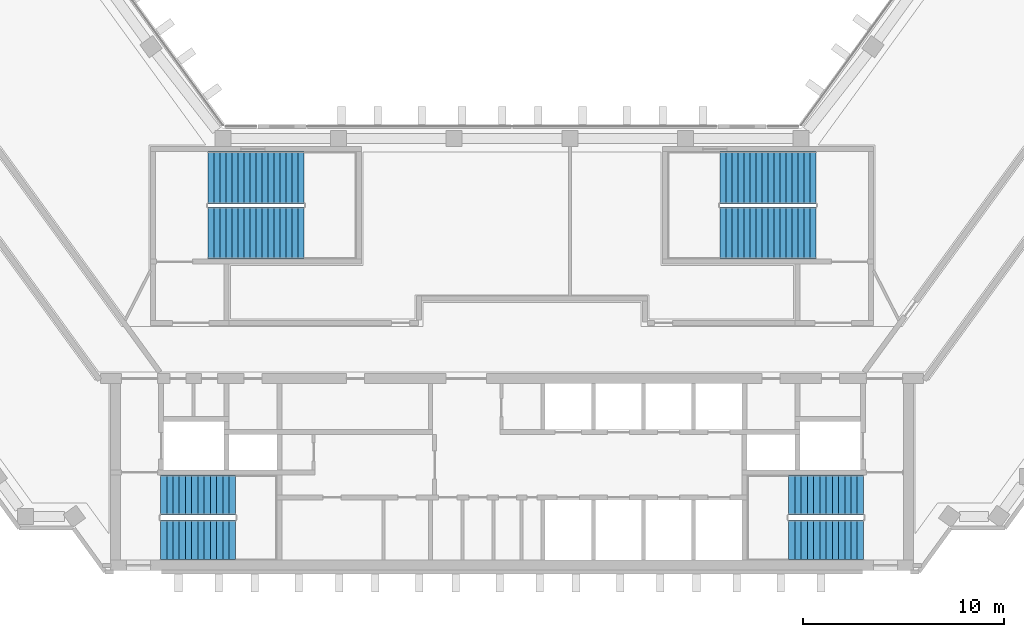
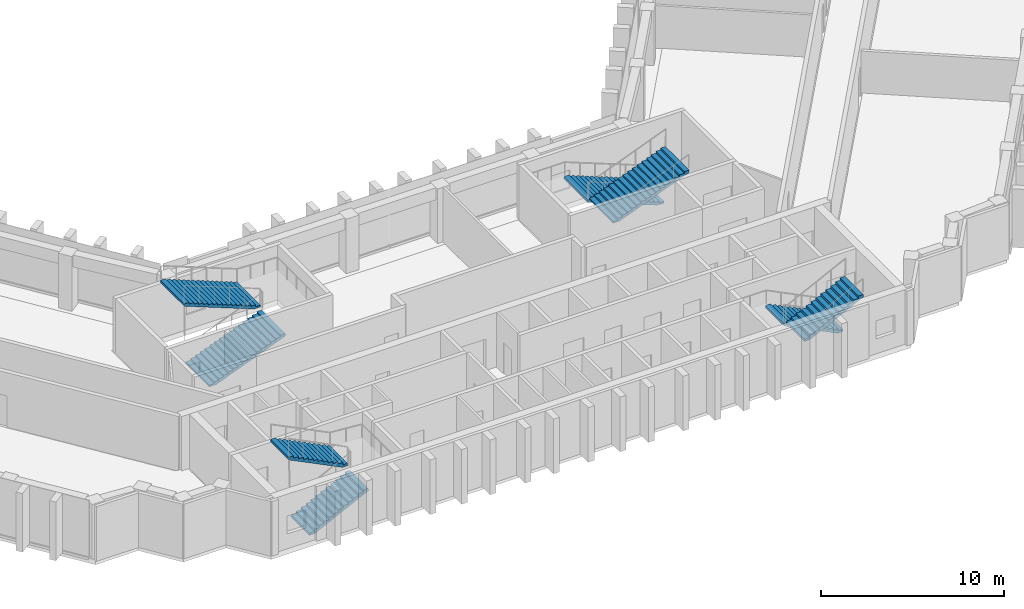
# One storey, part 8 of 10: 8 stair flights, 4 elements without a shape of their own.
"""IFC4 building model written with IfcOpenShell, lengths in metres."""

import ifcopenshell
import ifcopenshell.guid

model = None  # the IFC model being written
_history = None  # IfcOwnerHistory: only IFC2X3 demands one
_inside = {}  # id of a spatial element -> (the spatial element, [elements in it])
_under = {}  # id of a project, library or spatial element -> (it, [spatial elements below it])
_declared = {}  # id of a project -> (the project, [libraries it declares])
_typed = {}  # id of a type object -> (the type object, [elements of that type])
_made_of = {}  # id of a material, layer set ... -> (it, [elements and type objects made of it])


def new_model(schema):
    """Start an empty IFC model of exactly this schema.

    Asked for "IFC4X3", IfcOpenShell would pick the latest addendum, in which some entities
    have other attributes; the version numbers below select the first issue.
    IFC2X3 requires an IfcOwnerHistory on every rooted entity: one is made here for all.
    """
    global model, _history
    if schema == "IFC4X3":
        model = ifcopenshell.file(schema_version=(4, 3, 0, 0))
    else:
        model = ifcopenshell.file(schema=schema)
    _inside.clear()
    _under.clear()
    _declared.clear()
    _typed.clear()
    _made_of.clear()
    _history = None
    if model.schema == "IFC2X3":
        org = make("IfcOrganization", Name="unknown")
        user = make(
            "IfcPersonAndOrganization",
            ThePerson=make("IfcPerson", FamilyName="unknown"),
            TheOrganization=org,
        )
        app = make(
            "IfcApplication",
            ApplicationDeveloper=org,
            Version="unknown",
            ApplicationFullName="unknown",
            ApplicationIdentifier="unknown",
        )
        _history = make(
            "IfcOwnerHistory",
            OwningUser=user,
            OwningApplication=app,
            ChangeAction="ADDED",
            CreationDate=0,
        )
    return model


def make(cls, **values):
    """One entity of the class cls with the attributes given. An attribute that is None is left unset."""
    return model.create_entity(
        cls, **{name: value for name, value in values.items() if value is not None}
    )


def rooted(cls, **values):
    """An entity with a GlobalId (a new one), such as an element, a storey or a relation."""
    return make(cls, GlobalId=ifcopenshell.guid.new(), OwnerHistory=_history, **values)


def si_unit(unit_type, name, prefix=None):
    """IfcSIUnit, for example si_unit("LENGTHUNIT", "METRE", prefix="MILLI")."""
    return make("IfcSIUnit", UnitType=unit_type, Prefix=prefix, Name=name)


def assignment(units):
    """IfcUnitAssignment: the units of a project."""
    return None if units is None else make("IfcUnitAssignment", Units=units)


def point(xyz):
    """IfcCartesianPoint."""
    return None if xyz is None else make("IfcCartesianPoint", Coordinates=xyz)


def direction(xyz):
    """IfcDirection."""
    return None if xyz is None else make("IfcDirection", DirectionRatios=xyz)


def frame(location, z_axis=None, x_axis=None):
    """IfcAxis2Placement3D, a coordinate frame: its origin and axes. An axis left out is left unset."""
    return make(
        "IfcAxis2Placement3D",
        Location=point(location),
        Axis=direction(z_axis),
        RefDirection=direction(x_axis),
    )


def origin():
    """The frame at (0, 0, 0) with its axes left unset."""
    return frame((0.0, 0.0, 0.0))


def place(relative_to, where):
    """IfcLocalPlacement: puts the frame where relative to a parent placement (None: the world)."""
    return make(
        "IfcLocalPlacement", PlacementRelTo=relative_to, RelativePlacement=where
    )


def context(
    kind, dimensions, precision=None, world=None, true_north=None, identifier=None
):
    """IfcGeometricRepresentationContext, for example the 3D "Model" context."""
    return make(
        "IfcGeometricRepresentationContext",
        ContextIdentifier=identifier,
        ContextType=kind,
        CoordinateSpaceDimension=dimensions,
        Precision=precision,
        WorldCoordinateSystem=world,
        TrueNorth=true_north,
    )


def subcontext(parent, identifier, kind, view, scale=None):
    """IfcGeometricRepresentationSubContext, for example "Body" below "Model"."""
    return make(
        "IfcGeometricRepresentationSubContext",
        ContextIdentifier=identifier,
        ContextType=kind,
        ParentContext=parent,
        TargetScale=scale,
        TargetView=view,
    )


def project(units=None, contexts=None):
    """IfcProject with its units and contexts."""
    return rooted(
        "IfcProject",
        Name="project",
        RepresentationContexts=contexts,
        UnitsInContext=assignment(units),
    )


def spatial(cls, under=None, at=None, **own):
    """A site, building, storey or space (cls), placed at a placement, below another one or the project."""
    s = rooted(cls, ObjectPlacement=at, **own)
    if under is not None:
        _under.setdefault(under.id(), (under, []))[1].append(s)
    return s


def polyline(points):
    """IfcPolyline through the points."""
    return make("IfcPolyline", Points=[point(p) for p in points])


def outline(outer, holes=None, kind="AREA"):
    """IfcArbitraryClosedProfileDef: a profile drawn as a closed curve; with holes, ...WithVoids."""
    if holes is None:
        return make("IfcArbitraryClosedProfileDef", ProfileType=kind, OuterCurve=outer)
    return make(
        "IfcArbitraryProfileDefWithVoids",
        ProfileType=kind,
        OuterCurve=outer,
        InnerCurves=holes,
    )


def extrude(swept, where, along, depth):
    """IfcExtrudedAreaSolid: the profile swept, set in the frame where, extruded along a direction by depth."""
    return make(
        "IfcExtrudedAreaSolid",
        SweptArea=swept,
        Position=where,
        ExtrudedDirection=direction(along),
        Depth=depth,
    )


def shape(context_of_items, identifier, shape_type, items):
    """IfcShapeRepresentation: the items that make up one representation, for example the "Body"."""
    return make(
        "IfcShapeRepresentation",
        ContextOfItems=context_of_items,
        RepresentationIdentifier=identifier,
        RepresentationType=shape_type,
        Items=items,
    )


def material(Name=None, Category=None):
    """IfcMaterial."""
    return make("IfcMaterial", Name=Name, Category=Category)


def made_of(thing, what):
    """Note that an element or type object is made of a material, layer set ...; save() writes the relation."""
    if what is not None:
        _made_of.setdefault(what.id(), (what, []))[1].append(thing)
    return thing


def type_object(cls, material=None, **own):
    """A type object (cls), such as IfcWallType, which elements share."""
    return made_of(rooted(cls, **own), material)


def element(
    cls,
    number,
    at=None,
    inside=None,
    cuts=None,
    type_object=None,
    material=None,
    context=None,
    identifier="Body",
    shape_type=None,
    held_by="IfcProductDefinitionShape",
    body=None,
    shapes=None,
    **own,
):
    """One element of the class cls, such as IfcWall. Its Tag is "e" and its number.

    at: its placement. inside: the storey or other place that contains it. cuts: it is an
    opening in that element (IfcRelVoidsElement). A single representation is given by context,
    identifier, shape_type and body (its items); several are given by shapes. held_by: the class
    of the entity that holds the representations. save() writes the other relations.
    """
    e = rooted(cls, Tag="e%d" % number, ObjectPlacement=at, **own)
    if body is not None:
        shapes = [shape(context, identifier, shape_type, body)]
    if shapes is not None:
        e.Representation = make(held_by, Representations=shapes)
    if inside is not None:
        _inside.setdefault(inside.id(), (inside, []))[1].append(e)
    if cuts is not None:
        rooted(
            "IfcRelVoidsElement", RelatingBuildingElement=cuts, RelatedOpeningElement=e
        )
    if type_object is not None:
        _typed.setdefault(type_object.id(), (type_object, []))[1].append(e)
    return made_of(e, material)


def aggregate(whole, parts):
    """IfcRelAggregates: a whole, such as a stair, and the parts it consists of."""
    return rooted("IfcRelAggregates", RelatingObject=whole, RelatedObjects=parts)


def save(model, path):
    """Write the relations noted so far, then the file.

    IfcRelAggregates (storeys below a building ...), IfcRelContainedInSpatialStructure (elements
    in a storey), IfcRelDefinesByType, IfcRelAssociatesMaterial and IfcRelDeclares: one each for
    every whole, place, type object, material and project.
    """
    for whole, parts in _under.values():
        aggregate(whole, parts)
    for where, things in _inside.values():
        rooted(
            "IfcRelContainedInSpatialStructure",
            RelatedElements=things,
            RelatingStructure=where,
        )
    for kind, things in _typed.values():
        rooted("IfcRelDefinesByType", RelatedObjects=things, RelatingType=kind)
    for what, things in _made_of.values():
        rooted("IfcRelAssociatesMaterial", RelatedObjects=things, RelatingMaterial=what)
    for by, libraries in _declared.values():
        rooted("IfcRelDeclares", RelatingContext=by, RelatedDefinitions=libraries)
    model.write(path)


model = new_model("IFC4")

# Units and contexts
model_context = context("Model", 3, precision=1e-05, world=origin(), true_north=direction((0.0, 1.0)))
body_context = subcontext(model_context, "Body", "Model", "MODEL_VIEW")
ifc_project = project(units=[si_unit("LENGTHUNIT", "METRE"), si_unit("AREAUNIT", "SQUARE_METRE"), si_unit("VOLUMEUNIT", "CUBIC_METRE"), si_unit("PLANEANGLEUNIT", "RADIAN"), si_unit("MASSUNIT", "GRAM", prefix="KILO")], contexts=[model_context])

# Site, building, storey
site_placement = place(None, origin())
site = spatial("IfcSite", under=ifc_project, at=site_placement, CompositionType="ELEMENT")
building_placement = place(site_placement, origin())
building = spatial("IfcBuilding", under=site, at=building_placement, Name="Quipu Civic Tower", CompositionType="ELEMENT")
storey_placement = place(building_placement, frame((0.0, 0.0, 176.0)))
storey = spatial("IfcBuildingStorey", under=building, at=storey_placement, Name="L41", CompositionType="ELEMENT", Elevation=176.0)

# Stair, stair flights
ifc_material_1 = material(Name="Concrete C40/50", Category="concrete")
stair_type_1 = type_object("IfcStairType", Name="Half turn stair 2000", PredefinedType="HALF_TURN_STAIR", material=ifc_material_1)
stair_1_placement = place(storey_placement, origin())
stair_1 = element("IfcStair", 1, at=stair_1_placement, inside=storey, type_object=stair_type_1, Name="Exit stair 1", PredefinedType="HALF_TURN_STAIR")
ifc_material_2 = material(Name="Concrete C40/50", Category="concrete")
stair_flight_type_1 = type_object("IfcStairFlightType", Name="Stair flight 2000", PredefinedType="STRAIGHT", material=ifc_material_2)
stair_flight_1_placement = place(storey_placement, frame((-17.5, -9.5, 0.0), z_axis=(0.0, 0.0, 1.0), x_axis=(1.0, 0.0, 0.0)))
stair_flight_1 = element("IfcStairFlight", 2, at=stair_flight_1_placement, type_object=stair_flight_type_1, Name="ST-1 flight 1", NumberOfRisers=13, NumberOfTreads=12, PredefinedType="STRAIGHT", RiserHeight=0.153846154, TreadLength=0.31, context=body_context, shape_type="SweptSolid", body=[
    extrude(outline(polyline([(0.0, 0.0), (0.0, 0.15380859375), (0.31005859375, 0.15380859375), (0.31005859375, 0.3076171875), (0.6201171875, 0.3076171875), (0.6201171875, 0.46142578125), (0.929931640625, 0.46142578125), (0.929931640625, 0.615478515625), (1.239990234375, 0.615478515625), (1.239990234375, 0.769287109375), (1.550048828125, 0.769287109375), (1.550048828125, 0.923095703125), (1.860107421875, 0.923095703125), (1.860107421875, 1.076904296875), (2.169921875, 1.076904296875), (2.169921875, 1.230712890625), (2.47998046875, 1.230712890625), (2.47998046875, 1.384521484375), (2.7900390625, 1.384521484375), (2.7900390625, 1.53857421875), (3.10009765625, 1.53857421875), (3.10009765625, 1.6923828125), (3.409912109375, 1.6923828125), (3.409912109375, 1.84619140625), (3.719970703125, 1.84619140625), (3.719970703125, 2.0), (3.719970703125, 1.6787109375), (0.337158203125, 0.0), (0.0, 0.0)])), frame((0.0, 1.0, 0.0), z_axis=(0.0, -1.0, 0.0), x_axis=(1.0, 0.0, 0.0)), (0.0, 0.0, 1.0), 2.0),
])
stair_flight_2_placement = place(storey_placement, frame((-13.780029296875, -7.25, 2.0), z_axis=(0.0, 0.0, 1.0), x_axis=(-1.0, 0.0, 0.0)))
stair_flight_2 = element("IfcStairFlight", 3, at=stair_flight_2_placement, type_object=stair_flight_type_1, Name="ST-1 flight 2", NumberOfRisers=13, NumberOfTreads=12, PredefinedType="STRAIGHT", RiserHeight=0.153846154, TreadLength=0.31, context=body_context, shape_type="SweptSolid", body=[
    extrude(outline(polyline([(0.0, 0.0), (0.0, 0.15380859375), (0.31005859375, 0.15380859375), (0.31005859375, 0.3076171875), (0.6201171875, 0.3076171875), (0.6201171875, 0.46142578125), (0.929931640625, 0.46142578125), (0.929931640625, 0.615478515625), (1.239990234375, 0.615478515625), (1.239990234375, 0.769287109375), (1.550048828125, 0.769287109375), (1.550048828125, 0.923095703125), (1.860107421875, 0.923095703125), (1.860107421875, 1.076904296875), (2.169921875, 1.076904296875), (2.169921875, 1.230712890625), (2.47998046875, 1.230712890625), (2.47998046875, 1.384521484375), (2.7900390625, 1.384521484375), (2.7900390625, 1.53857421875), (3.10009765625, 1.53857421875), (3.10009765625, 1.6923828125), (3.409912109375, 1.6923828125), (3.409912109375, 1.84619140625), (3.719970703125, 1.84619140625), (3.719970703125, 2.0), (3.719970703125, 1.6787109375), (0.337158203125, 0.0), (0.0, 0.0)])), frame((0.0, 1.0, 0.0), z_axis=(0.0, -1.0, 0.0), x_axis=(1.0, 0.0, 0.0)), (0.0, 0.0, 1.0), 2.0),
])
aggregate(stair_1, [stair_flight_1, stair_flight_2])

stair_2_placement = place(storey_placement, origin())
stair_2 = element("IfcStair", 4, at=stair_2_placement, inside=storey, type_object=stair_type_1, Name="Exit stair 2", PredefinedType="HALF_TURN_STAIR")
stair_flight_3_placement = place(storey_placement, frame((17.5, -7.25, 0.0), z_axis=(0.0, 0.0, 1.0), x_axis=(-1.0, 0.0, 0.0)))
stair_flight_3 = element("IfcStairFlight", 5, at=stair_flight_3_placement, type_object=stair_flight_type_1, Name="ST-2 flight 1", NumberOfRisers=13, NumberOfTreads=12, PredefinedType="STRAIGHT", RiserHeight=0.153846154, TreadLength=0.31, context=body_context, shape_type="SweptSolid", body=[
    extrude(outline(polyline([(0.0, 0.0), (0.0, 0.15380859375), (0.31005859375, 0.15380859375), (0.31005859375, 0.3076171875), (0.6201171875, 0.3076171875), (0.6201171875, 0.46142578125), (0.929931640625, 0.46142578125), (0.929931640625, 0.615478515625), (1.239990234375, 0.615478515625), (1.239990234375, 0.769287109375), (1.550048828125, 0.769287109375), (1.550048828125, 0.923095703125), (1.860107421875, 0.923095703125), (1.860107421875, 1.076904296875), (2.169921875, 1.076904296875), (2.169921875, 1.230712890625), (2.47998046875, 1.230712890625), (2.47998046875, 1.384521484375), (2.7900390625, 1.384521484375), (2.7900390625, 1.53857421875), (3.10009765625, 1.53857421875), (3.10009765625, 1.6923828125), (3.409912109375, 1.6923828125), (3.409912109375, 1.84619140625), (3.719970703125, 1.84619140625), (3.719970703125, 2.0), (3.719970703125, 1.6787109375), (0.337158203125, 0.0), (0.0, 0.0)])), frame((0.0, 1.0, 0.0), z_axis=(0.0, -1.0, 0.0), x_axis=(1.0, 0.0, 0.0)), (0.0, 0.0, 1.0), 2.0),
])
stair_flight_4_placement = place(storey_placement, frame((13.780029296875, -9.5, 2.0), z_axis=(0.0, 0.0, 1.0), x_axis=(1.0, 0.0, 0.0)))
stair_flight_4 = element("IfcStairFlight", 6, at=stair_flight_4_placement, type_object=stair_flight_type_1, Name="ST-2 flight 2", NumberOfRisers=13, NumberOfTreads=12, PredefinedType="STRAIGHT", RiserHeight=0.153846154, TreadLength=0.31, context=body_context, shape_type="SweptSolid", body=[
    extrude(outline(polyline([(0.0, 0.0), (0.0, 0.15380859375), (0.31005859375, 0.15380859375), (0.31005859375, 0.3076171875), (0.6201171875, 0.3076171875), (0.6201171875, 0.46142578125), (0.929931640625, 0.46142578125), (0.929931640625, 0.615478515625), (1.239990234375, 0.615478515625), (1.239990234375, 0.769287109375), (1.550048828125, 0.769287109375), (1.550048828125, 0.923095703125), (1.860107421875, 0.923095703125), (1.860107421875, 1.076904296875), (2.169921875, 1.076904296875), (2.169921875, 1.230712890625), (2.47998046875, 1.230712890625), (2.47998046875, 1.384521484375), (2.7900390625, 1.384521484375), (2.7900390625, 1.53857421875), (3.10009765625, 1.53857421875), (3.10009765625, 1.6923828125), (3.409912109375, 1.6923828125), (3.409912109375, 1.84619140625), (3.719970703125, 1.84619140625), (3.719970703125, 2.0), (3.719970703125, 1.6787109375), (0.337158203125, 0.0), (0.0, 0.0)])), frame((0.0, 1.0, 0.0), z_axis=(0.0, -1.0, 0.0), x_axis=(1.0, 0.0, 0.0)), (0.0, 0.0, 1.0), 2.0),
])
aggregate(stair_2, [stair_flight_3, stair_flight_4])

ifc_material_3 = material(Name="Concrete C40/50", Category="concrete")
stair_type_2 = type_object("IfcStairType", Name="Half turn stair 2600", PredefinedType="HALF_TURN_STAIR", material=ifc_material_3)
stair_3_placement = place(storey_placement, origin())
stair_3 = element("IfcStair", 7, at=stair_3_placement, inside=storey, type_object=stair_type_2, Name="Exit stair 3", PredefinedType="HALF_TURN_STAIR")
ifc_material_4 = material(Name="Concrete C40/50", Category="concrete")
stair_flight_type_2 = type_object("IfcStairFlightType", Name="Stair flight 2600", PredefinedType="STRAIGHT", material=ifc_material_4)
stair_flight_5_placement = place(storey_placement, frame((-15.14990234375, 5.800048828125, 0.0), z_axis=(0.0, 0.0, 1.0), x_axis=(1.0, 0.0, 0.0)))
stair_flight_5 = element("IfcStairFlight", 8, at=stair_flight_5_placement, type_object=stair_flight_type_2, Name="ST-3 flight 1", NumberOfRisers=17, NumberOfTreads=16, PredefinedType="STRAIGHT", RiserHeight=0.117647059, TreadLength=0.3, context=body_context, shape_type="SweptSolid", body=[
    extrude(outline(polyline([(0.0, 0.0), (0.0, 0.11767578125), (0.300048828125, 0.11767578125), (0.300048828125, 0.2353515625), (0.60009765625, 0.2353515625), (0.60009765625, 0.35302734375), (0.89990234375, 0.35302734375), (0.89990234375, 0.470703125), (1.199951171875, 0.470703125), (1.199951171875, 0.588134765625), (1.5, 0.588134765625), (1.5, 0.705810546875), (1.800048828125, 0.705810546875), (1.800048828125, 0.823486328125), (2.10009765625, 0.823486328125), (2.10009765625, 0.941162109375), (2.39990234375, 0.941162109375), (2.39990234375, 1.058837890625), (2.699951171875, 1.058837890625), (2.699951171875, 1.176513671875), (3.0, 1.176513671875), (3.0, 1.294189453125), (3.300048828125, 1.294189453125), (3.300048828125, 1.411865234375), (3.60009765625, 1.411865234375), (3.60009765625, 1.529296875), (3.89990234375, 1.529296875), (3.89990234375, 1.64697265625), (4.199951171875, 1.64697265625), (4.199951171875, 1.7646484375), (4.5, 1.7646484375), (4.5, 1.88232421875), (4.800048828125, 1.88232421875), (4.800048828125, 2.0), (4.800048828125, 1.721435546875), (0.41064453125, 0.0), (0.0, 0.0)])), frame((0.0, 1.300048828125, 0.0), z_axis=(0.0, -1.0, 0.0), x_axis=(1.0, 0.0, 0.0)), (0.0, 0.0, 1.0), 2.60009765625),
])
stair_flight_6_placement = place(storey_placement, frame((-10.35009765625, 8.550048828125, 2.0), z_axis=(0.0, 0.0, 1.0), x_axis=(-1.0, 0.0, 0.0)))
stair_flight_6 = element("IfcStairFlight", 9, at=stair_flight_6_placement, type_object=stair_flight_type_2, Name="ST-3 flight 2", NumberOfRisers=17, NumberOfTreads=16, PredefinedType="STRAIGHT", RiserHeight=0.117647059, TreadLength=0.3, context=body_context, shape_type="SweptSolid", body=[
    extrude(outline(polyline([(0.0, 0.0), (0.0, 0.11767578125), (0.300048828125, 0.11767578125), (0.300048828125, 0.2353515625), (0.60009765625, 0.2353515625), (0.60009765625, 0.35302734375), (0.89990234375, 0.35302734375), (0.89990234375, 0.470703125), (1.199951171875, 0.470703125), (1.199951171875, 0.588134765625), (1.5, 0.588134765625), (1.5, 0.705810546875), (1.800048828125, 0.705810546875), (1.800048828125, 0.823486328125), (2.10009765625, 0.823486328125), (2.10009765625, 0.941162109375), (2.39990234375, 0.941162109375), (2.39990234375, 1.058837890625), (2.699951171875, 1.058837890625), (2.699951171875, 1.176513671875), (3.0, 1.176513671875), (3.0, 1.294189453125), (3.300048828125, 1.294189453125), (3.300048828125, 1.411865234375), (3.60009765625, 1.411865234375), (3.60009765625, 1.529296875), (3.89990234375, 1.529296875), (3.89990234375, 1.64697265625), (4.199951171875, 1.64697265625), (4.199951171875, 1.7646484375), (4.5, 1.7646484375), (4.5, 1.88232421875), (4.800048828125, 1.88232421875), (4.800048828125, 2.0), (4.800048828125, 1.721435546875), (0.41064453125, 0.0), (0.0, 0.0)])), frame((0.0, 1.300048828125, 0.0), z_axis=(0.0, -1.0, 0.0), x_axis=(1.0, 0.0, 0.0)), (0.0, 0.0, 1.0), 2.60009765625),
])
aggregate(stair_3, [stair_flight_5, stair_flight_6])

stair_4_placement = place(storey_placement, origin())
stair_4 = element("IfcStair", 10, at=stair_4_placement, inside=storey, type_object=stair_type_2, Name="Exit stair 4", PredefinedType="HALF_TURN_STAIR")
stair_flight_7_placement = place(storey_placement, frame((15.14990234375, 8.550048828125, 0.0), z_axis=(0.0, 0.0, 1.0), x_axis=(-1.0, 0.0, 0.0)))
stair_flight_7 = element("IfcStairFlight", 11, at=stair_flight_7_placement, type_object=stair_flight_type_2, Name="ST-4 flight 1", NumberOfRisers=17, NumberOfTreads=16, PredefinedType="STRAIGHT", RiserHeight=0.117647059, TreadLength=0.3, context=body_context, shape_type="SweptSolid", body=[
    extrude(outline(polyline([(0.0, 0.0), (0.0, 0.11767578125), (0.300048828125, 0.11767578125), (0.300048828125, 0.2353515625), (0.60009765625, 0.2353515625), (0.60009765625, 0.35302734375), (0.89990234375, 0.35302734375), (0.89990234375, 0.470703125), (1.199951171875, 0.470703125), (1.199951171875, 0.588134765625), (1.5, 0.588134765625), (1.5, 0.705810546875), (1.800048828125, 0.705810546875), (1.800048828125, 0.823486328125), (2.10009765625, 0.823486328125), (2.10009765625, 0.941162109375), (2.39990234375, 0.941162109375), (2.39990234375, 1.058837890625), (2.699951171875, 1.058837890625), (2.699951171875, 1.176513671875), (3.0, 1.176513671875), (3.0, 1.294189453125), (3.300048828125, 1.294189453125), (3.300048828125, 1.411865234375), (3.60009765625, 1.411865234375), (3.60009765625, 1.529296875), (3.89990234375, 1.529296875), (3.89990234375, 1.64697265625), (4.199951171875, 1.64697265625), (4.199951171875, 1.7646484375), (4.5, 1.7646484375), (4.5, 1.88232421875), (4.800048828125, 1.88232421875), (4.800048828125, 2.0), (4.800048828125, 1.721435546875), (0.41064453125, 0.0), (0.0, 0.0)])), frame((0.0, 1.300048828125, 0.0), z_axis=(0.0, -1.0, 0.0), x_axis=(1.0, 0.0, 0.0)), (0.0, 0.0, 1.0), 2.60009765625),
])
stair_flight_8_placement = place(storey_placement, frame((10.35009765625, 5.800048828125, 2.0), z_axis=(0.0, 0.0, 1.0), x_axis=(1.0, 0.0, 0.0)))
stair_flight_8 = element("IfcStairFlight", 12, at=stair_flight_8_placement, type_object=stair_flight_type_2, Name="ST-4 flight 2", NumberOfRisers=17, NumberOfTreads=16, PredefinedType="STRAIGHT", RiserHeight=0.117647059, TreadLength=0.3, context=body_context, shape_type="SweptSolid", body=[
    extrude(outline(polyline([(0.0, 0.0), (0.0, 0.11767578125), (0.300048828125, 0.11767578125), (0.300048828125, 0.2353515625), (0.60009765625, 0.2353515625), (0.60009765625, 0.35302734375), (0.89990234375, 0.35302734375), (0.89990234375, 0.470703125), (1.199951171875, 0.470703125), (1.199951171875, 0.588134765625), (1.5, 0.588134765625), (1.5, 0.705810546875), (1.800048828125, 0.705810546875), (1.800048828125, 0.823486328125), (2.10009765625, 0.823486328125), (2.10009765625, 0.941162109375), (2.39990234375, 0.941162109375), (2.39990234375, 1.058837890625), (2.699951171875, 1.058837890625), (2.699951171875, 1.176513671875), (3.0, 1.176513671875), (3.0, 1.294189453125), (3.300048828125, 1.294189453125), (3.300048828125, 1.411865234375), (3.60009765625, 1.411865234375), (3.60009765625, 1.529296875), (3.89990234375, 1.529296875), (3.89990234375, 1.64697265625), (4.199951171875, 1.64697265625), (4.199951171875, 1.7646484375), (4.5, 1.7646484375), (4.5, 1.88232421875), (4.800048828125, 1.88232421875), (4.800048828125, 2.0), (4.800048828125, 1.721435546875), (0.41064453125, 0.0), (0.0, 0.0)])), frame((0.0, 1.300048828125, 0.0), z_axis=(0.0, -1.0, 0.0), x_axis=(1.0, 0.0, 0.0)), (0.0, 0.0, 1.0), 2.60009765625),
])
aggregate(stair_4, [stair_flight_7, stair_flight_8])

save(model, "model.ifc")
